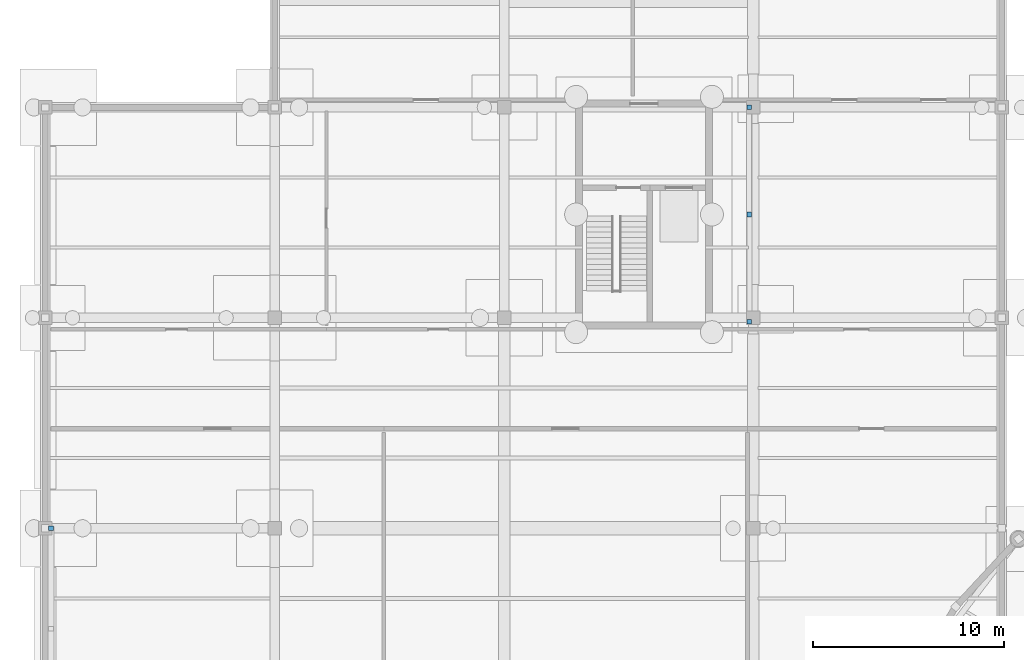
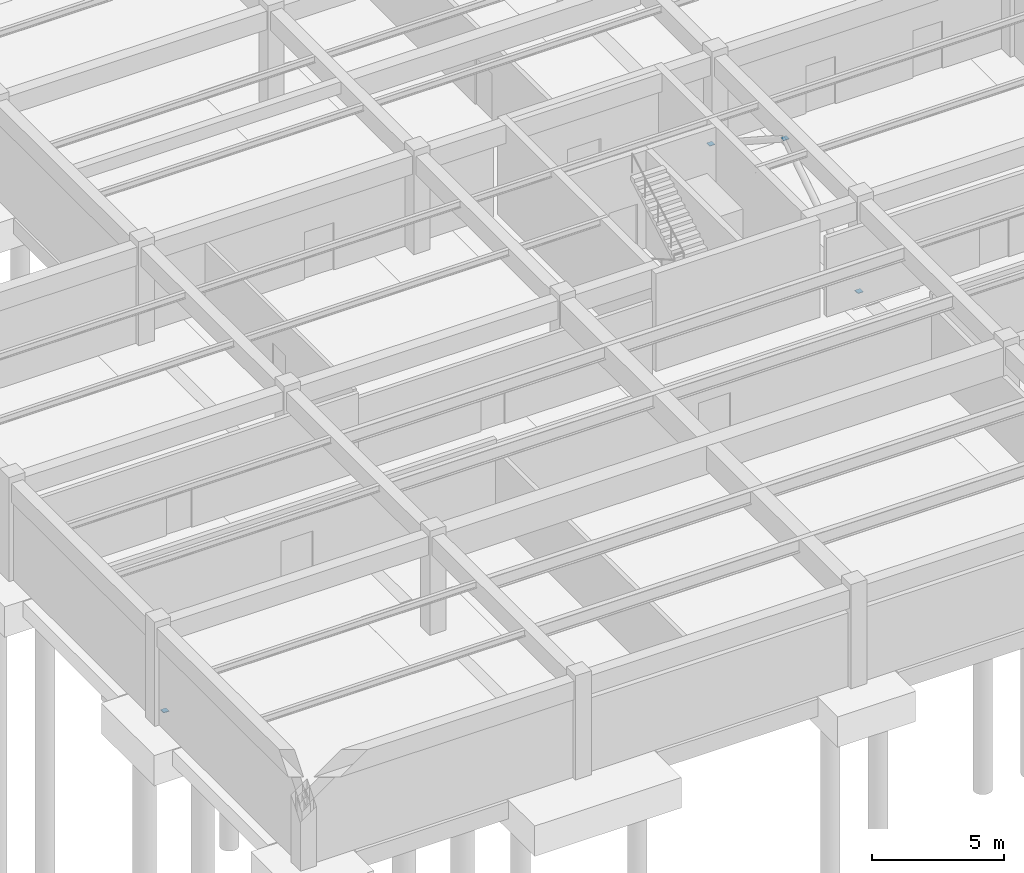
# One storey, part 31 of 42: 4 discrete accessories.
"""IFC4 building model written with IfcOpenShell, lengths in metres."""

from ifc_helpers import new_model, si_unit, direction, frame, origin, origin_2d, place, context, subcontext, project, spatial, rectangle, extrude, material, type_object, element, save


model = new_model("IFC4")

# Units and contexts
model_context = context("Model", 3, precision=1e-05, world=origin(), true_north=direction((0.0, 1.0)))
body_context = subcontext(model_context, "Body", "Model", "MODEL_VIEW")
ifc_project = project(units=[si_unit("LENGTHUNIT", "METRE"), si_unit("AREAUNIT", "SQUARE_METRE"), si_unit("VOLUMEUNIT", "CUBIC_METRE"), si_unit("PLANEANGLEUNIT", "RADIAN"), si_unit("MASSUNIT", "GRAM", prefix="KILO")], contexts=[model_context])

# Site, building, storey
site_placement = place(None, origin())
site = spatial("IfcSite", under=ifc_project, at=site_placement, CompositionType="ELEMENT")
building_placement = place(site_placement, origin())
building = spatial("IfcBuilding", under=site, at=building_placement, Name="Tarnveldt Headland Concert Hall", CompositionType="ELEMENT")
storey_placement = place(building_placement, frame((0.0, 0.0, -4.800048828125)))
storey = spatial("IfcBuildingStorey", under=building, at=storey_placement, Name="B1", CompositionType="ELEMENT", Elevation=-4.800048828125)

# Discrete accessories
ifc_material = material(Name="Steel S355", Category="steel")
discrete_accessory_type = type_object("IfcDiscreteAccessoryType", Name="DA-GUS25", PredefinedType="BRACKET", material=ifc_material)
for number, where, z_axis, x_axis, name in (
    (1, (7.800048828125, 71.0, 0.28759765625), (0.0, 0.0, 1.0), (1.0, 0.0, 0.0), "Bolted brace gusset connection 7"),
    (2, (44.300048828125, 81.800048828125, 0.28759765625), (0.0, 0.0, 1.0), (1.0, 0.0, 0.0), "Bolted brace gusset connection 9"),
    (3, (44.300048828125, 93.0, 0.28759765625), (0.0, 0.0, 1.0), (1.0, 0.0, 0.0), "Bolted brace gusset connection 10"),
    (4, (44.300048828125, 87.39990234375, 3.9375), (0.0, 0.0, 1.0), (1.0, 0.0, 0.0), "Bolted brace gusset connection 11"),
):
    element("IfcDiscreteAccessory", number, at=place(storey_placement, frame(where, z_axis=z_axis, x_axis=x_axis)), inside=storey, type_object=discrete_accessory_type, Name=name, PredefinedType="BRACKET", context=body_context, shape_type="SweptSolid", body=[
        extrude(rectangle(XDim=0.239990234375, YDim=0.239990234375, at=origin_2d()), origin(), (0.0, 0.0, 1.0), 0.02490234375),
    ])

save(model, "model.ifc")
